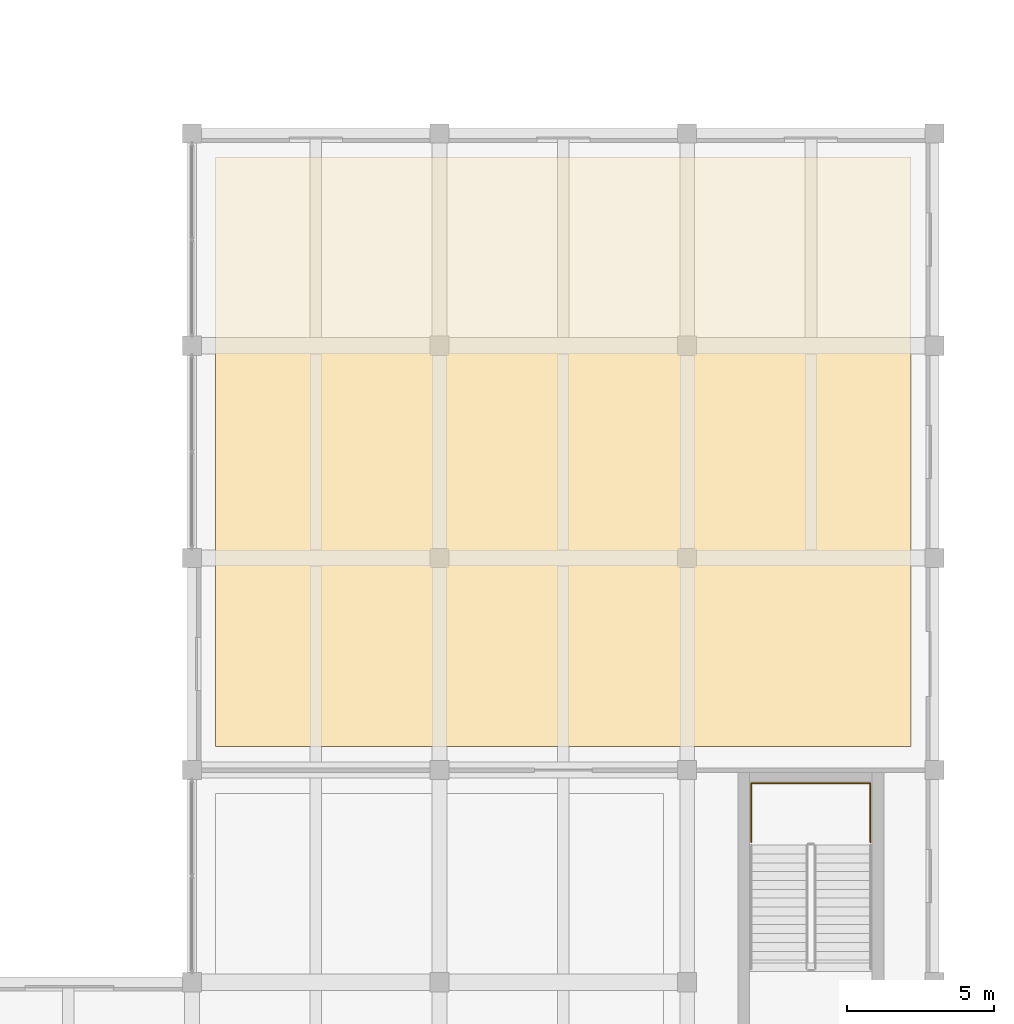
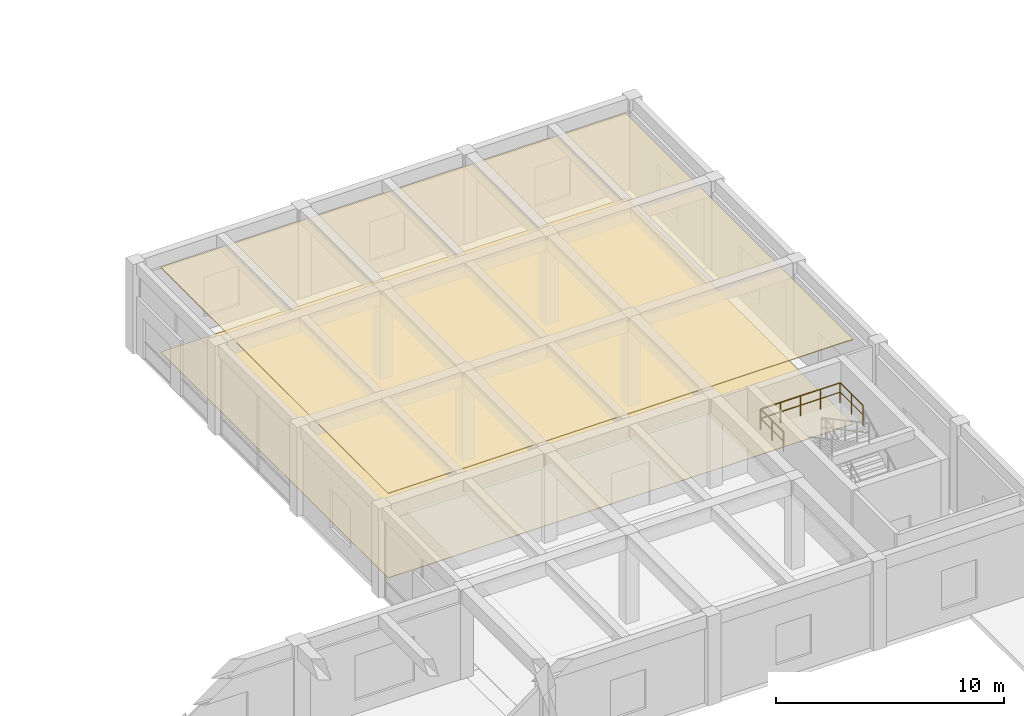
# One storey, part 48 of 49: 2 coverings, 1 railing.
"""IFC4 building model written with IfcOpenShell, lengths in metres."""

from ifc_helpers import new_model, si_unit, direction, frame, origin, origin_2d, place, context, subcontext, project, spatial, polyline, circle, outline, extrude, material, layer, layer_set, type_object, element, save


model = new_model("IFC4")

# Units and contexts
model_context = context("Model", 3, precision=1e-05, world=origin(), true_north=direction((0.0, 1.0)))
body_context = subcontext(model_context, "Body", "Model", "MODEL_VIEW")
ifc_project = project(units=[si_unit("LENGTHUNIT", "METRE"), si_unit("AREAUNIT", "SQUARE_METRE"), si_unit("VOLUMEUNIT", "CUBIC_METRE"), si_unit("PLANEANGLEUNIT", "RADIAN"), si_unit("MASSUNIT", "GRAM", prefix="KILO")], contexts=[model_context])

# Site, building, storey
site_placement = place(None, origin())
site = spatial("IfcSite", under=ifc_project, at=site_placement, CompositionType="ELEMENT")
building_placement = place(site_placement, origin())
building = spatial("IfcBuilding", under=site, at=building_placement, Name="Kenerak Square Central Library", CompositionType="ELEMENT")
storey_placement = place(building_placement, origin())
storey = spatial("IfcBuildingStorey", under=building, at=storey_placement, Name="L00", CompositionType="ELEMENT", Elevation=0.0)

# Coverings
ifc_material_1 = material(Name="Chengal hardwood timber SG1", Category="wood")
ifc_layer_1 = layer(ifc_material_1, 0.044921875)
ifc_layer_set_1 = layer_set([ifc_layer_1], Name="Chengal hardwood timber SG1")
covering_type_1 = type_object("IfcCoveringType", Name="Perforated Chengal Acoustic Ceiling CV-CEIL", PredefinedType="CEILING", material=ifc_layer_set_1)
covering_1_placement = place(storey_placement, frame((0.0, 0.0, 4.530029296875)))
element("IfcCovering", 1, at=covering_1_placement, inside=storey, type_object=covering_type_1, Name="Acoustic Ceiling L00-10", PredefinedType="CEILING", context=body_context, shape_type="SweptSolid", body=[
    extrude(outline(polyline([(151.60009765625, 66.39990234375), (175.199951171875, 66.39990234375), (175.199951171875, 46.39990234375), (151.60009765625, 46.39990234375), (151.60009765625, 66.39990234375)])), origin(), (0.0, 0.0, 1.0), 0.044921875),
])
ifc_material_2 = material(Name="Polished granite aggregate terrazzo", Category="masonry")
ifc_layer_2 = layer(ifc_material_2, 0.02490234375)
ifc_layer_set_2 = layer_set([ifc_layer_2], Name="Polished granite aggregate terrazzo")
covering_type_2 = type_object("IfcCoveringType", Name="Polished Terrazzo Reading Floor Finish CV-FLR", PredefinedType="FLOORING", material=ifc_layer_set_2)
covering_2_placement = place(storey_placement, origin())
element("IfcCovering", 2, at=covering_2_placement, inside=storey, type_object=covering_type_2, Name="Terrazzo Floor Finish L00-10", PredefinedType="FLOORING", context=body_context, shape_type="SweptSolid", body=[
    extrude(outline(polyline([(151.60009765625, 66.39990234375), (175.199951171875, 66.39990234375), (175.199951171875, 46.39990234375), (151.60009765625, 46.39990234375), (151.60009765625, 66.39990234375)])), origin(), (0.0, 0.0, 1.0), 0.02490234375),
])

# Railing
ifc_material_3 = material(Name="Steel S355", Category="steel")
railing_type = type_object("IfcRailingType", Name="Safety Guardrail GR-1100 S355", PredefinedType="GUARDRAIL", material=ifc_material_3)
railing_placement = place(storey_placement, frame((169.780029296875, 43.14990234375, 2.39990234375)))
element("IfcRailing", 3, at=railing_placement, inside=storey, type_object=railing_type, Name="Stair Half-Landing Guard ST-07 L00", PredefinedType="GUARDRAIL", context=body_context, shape_type="SweptSolid", body=[
    extrude(circle(Radius=0.02392578125, at=origin_2d()), frame((0.0, 0.0, 1.076171875), z_axis=(0.0, 1.0, 0.0), x_axis=(-1.0, 0.0, 0.0)), (0.0, 0.0, 1.0), 2.0),
    extrude(circle(Radius=0.01806640625, at=origin_2d()), frame((0.0, 0.0, 0.572021484375), z_axis=(0.0, 1.0, 0.0), x_axis=(-1.0, 0.0, 0.0)), (0.0, 0.0, 1.0), 2.0),
    extrude(circle(Radius=0.02392578125, at=origin_2d()), frame((0.0, 2.0, 1.076171875), z_axis=(1.0, 0.0, 0.0), x_axis=(0.0, 1.0, 0.0)), (0.0, 0.0, 1.0), 4.0400390625),
    extrude(circle(Radius=0.01806640625, at=origin_2d()), frame((0.0, 2.0, 0.572021484375), z_axis=(1.0, 0.0, 0.0), x_axis=(0.0, 1.0, 0.0)), (0.0, 0.0, 1.0), 4.0400390625),
    extrude(circle(Radius=0.02392578125, at=origin_2d()), frame((4.0400390625, 2.0, 1.076171875), z_axis=(0.0, -1.0, 0.0), x_axis=(1.0, 0.0, 0.0)), (0.0, 0.0, 1.0), 2.0),
    extrude(circle(Radius=0.01806640625, at=origin_2d()), frame((4.0400390625, 2.0, 0.572021484375), z_axis=(0.0, -1.0, 0.0), x_axis=(1.0, 0.0, 0.0)), (0.0, 0.0, 1.0), 2.0),
    extrude(circle(Radius=0.02099609375, at=origin_2d()), origin(), (0.0, 0.0, 1.0), 1.052001953125),
    extrude(circle(Radius=0.02099609375, at=origin_2d()), frame((0.0, 1.0, 0.0)), (0.0, 0.0, 1.0), 1.052001953125),
    extrude(circle(Radius=0.02099609375, at=origin_2d()), frame((0.0, 2.0, 0.0)), (0.0, 0.0, 1.0), 1.052001953125),
    extrude(circle(Radius=0.02099609375, at=origin_2d()), frame((1.010009765625, 2.0, 0.0)), (0.0, 0.0, 1.0), 1.052001953125),
    extrude(circle(Radius=0.02099609375, at=origin_2d()), frame((2.02001953125, 2.0, 0.0)), (0.0, 0.0, 1.0), 1.052001953125),
    extrude(circle(Radius=0.02099609375, at=origin_2d()), frame((3.030029296875, 2.0, 0.0)), (0.0, 0.0, 1.0), 1.052001953125),
    extrude(circle(Radius=0.02099609375, at=origin_2d()), frame((4.0400390625, 2.0, 0.0)), (0.0, 0.0, 1.0), 1.052001953125),
    extrude(circle(Radius=0.02099609375, at=origin_2d()), frame((4.0400390625, 1.0, 0.0)), (0.0, 0.0, 1.0), 1.052001953125),
    extrude(circle(Radius=0.02099609375, at=origin_2d()), frame((4.0400390625, 0.0, 0.0)), (0.0, 0.0, 1.0), 1.052001953125),
])

save(model, "model.ifc")
